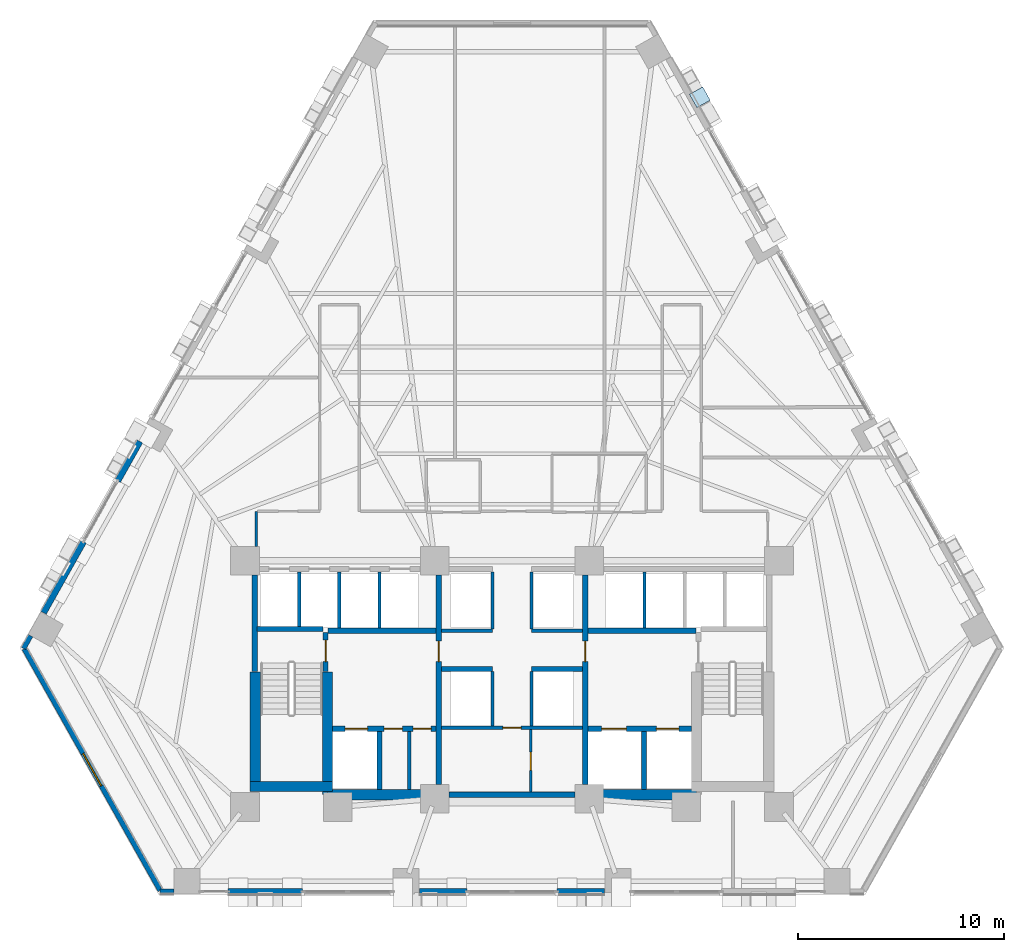
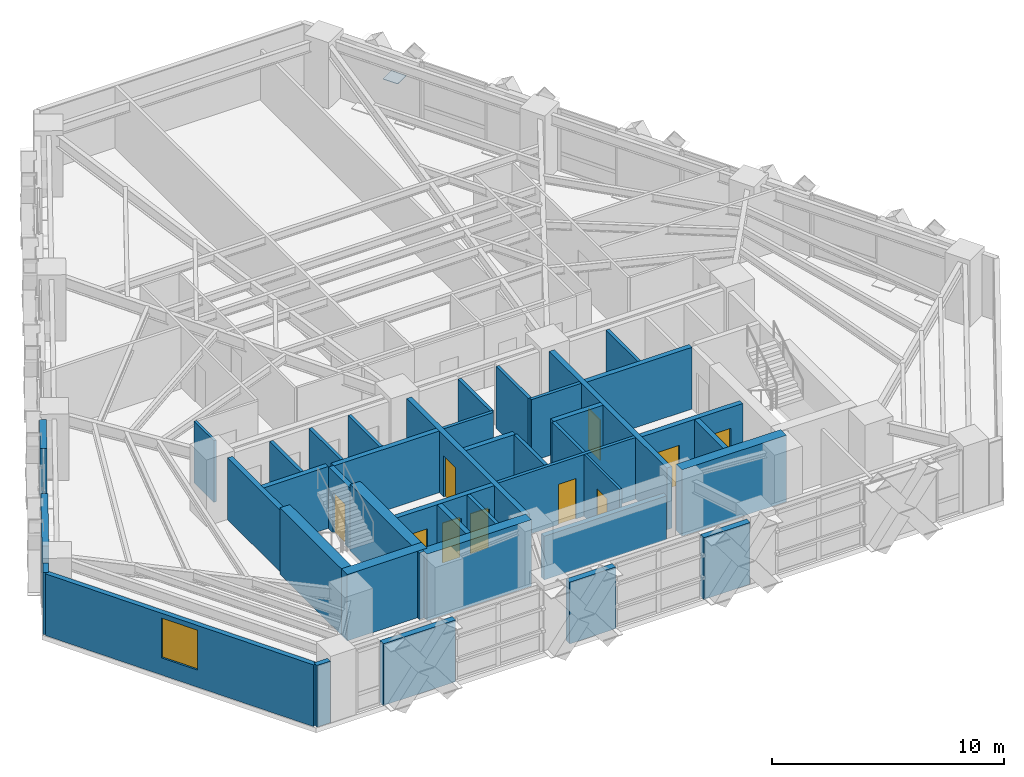
# One storey, part 7 of 13: 41 walls, 10 doors, 1 plate, 1 window, 11 openings.
"""IFC4 building model written with IfcOpenShell, lengths in metres."""

from ifc_helpers import new_model, si_unit, direction, frame, frame_2d, origin, origin_2d, place, context, subcontext, project, spatial, rectangle, extrude, material, layer, layer_set, type_object, element, fill, save


model = new_model("IFC4")

# Units and contexts
model_context = context("Model", 3, precision=1e-05, world=origin(), true_north=direction((0.0, 1.0)))
body_context = subcontext(model_context, "Body", "Model", "MODEL_VIEW")
ifc_project = project(units=[si_unit("LENGTHUNIT", "METRE"), si_unit("AREAUNIT", "SQUARE_METRE"), si_unit("VOLUMEUNIT", "CUBIC_METRE"), si_unit("PLANEANGLEUNIT", "RADIAN"), si_unit("MASSUNIT", "GRAM", prefix="KILO")], contexts=[model_context])

# Site, building, storey
site_placement = place(None, origin())
site = spatial("IfcSite", under=ifc_project, at=site_placement, CompositionType="ELEMENT")
building_placement = place(site_placement, origin())
building = spatial("IfcBuilding", under=site, at=building_placement, Name="Quenlor Broadcast Tower", CompositionType="ELEMENT")
storey_placement = place(building_placement, frame((0.0, 0.0, 62.60009765625)))
storey = spatial("IfcBuildingStorey", under=building, at=storey_placement, Name="L16", CompositionType="ELEMENT", Elevation=62.60009765625)

# Plate
ifc_material_1 = material(Name="Steel S355", Category="steel")
ifc_layer_1 = layer(ifc_material_1, 0.028076171875)
ifc_layer_set_1 = layer_set([ifc_layer_1], Name="Perimeter Lattice Node Steel S355 Cap Plate 740x740x28")
plate_type = type_object("IfcPlateType", Name="Perimeter Lattice Node Steel S355 Cap Plate 740x740x28", PredefinedType="USERDEFINED", material=ifc_layer_set_1)
plate_placement = place(storey_placement, frame((9.111083984375, 17.681640625, 1.61572265625), z_axis=(0.0, 0.0, 1.0), x_axis=(0.490295412055, -0.871556314255, 0.0)))
element("IfcPlate", 1, at=plate_placement, inside=storey, type_object=plate_type, Name="L16 Diamond Lattice Crossing Node NE-C1", ObjectType="CAP PLATE", PredefinedType="USERDEFINED", context=body_context, shape_type="SweptSolid", body=[
    extrude(rectangle(XDim=0.739990234375, YDim=0.739990234375, at=origin_2d()), origin(), (0.0, 0.0, 1.0), 0.028076171875),
])

# Walls
ifc_material_2 = material(Name="Concrete C65/80", Category="concrete")
ifc_layer_2 = layer(ifc_material_2, 0.5)
ifc_layer_set_2 = layer_set([ifc_layer_2], Name="Core Concrete C65/80 Shear Wall 500")
wall_type_1 = type_object("IfcWallType", Name="Core Concrete C65/80 Shear Wall 500", PredefinedType="SHEAR", material=ifc_layer_set_2)
wall_1_placement = place(storey_placement, frame((-12.699951171875, -15.75, 0.0), z_axis=(0.0, 0.0, 1.0), x_axis=(1.0, 0.0, 0.0)))
element("IfcWall", 2, at=wall_1_placement, inside=storey, type_object=wall_type_1, Name="L16 Core Shear Wall WS-W1", PredefinedType="SHEAR", context=body_context, shape_type="SweptSolid", body=[
    extrude(rectangle(XDim=4.0, YDim=0.5, at=frame_2d((2.0, 0.0))), origin(), (0.0, 0.0, 1.0), 3.5),
])
for number, where, z_axis, x_axis, name in (
    (3, (-8.949951171875, -16.14990234375, 0.0), (0.0, 0.0, 1.0), (1.0, 0.0, 0.0), "L16 Core Shear Wall WS-W2"),
    (4, (3.75, -16.14990234375, 0.0), (0.0, 0.0, 1.0), (1.0, 0.0, 0.0), "L16 Core Shear Wall WS-E1"),
):
    element("IfcWall", number, at=place(storey_placement, frame(where, z_axis=z_axis, x_axis=x_axis)), inside=storey, type_object=wall_type_1, Name=name, PredefinedType="SHEAR", context=body_context, shape_type="SweptSolid", body=[
        extrude(rectangle(XDim=5.199951171875, YDim=0.5, at=frame_2d((2.60009765625, 0.0))), origin(), (0.0, 0.0, 1.0), 3.5),
    ])
wall_2_placement = place(storey_placement, frame((-12.449951171875, -15.75, 0.0), z_axis=(0.0, 0.0, 1.0), x_axis=(0.0, 1.0, 0.0)))
element("IfcWall", 5, at=wall_2_placement, inside=storey, type_object=wall_type_1, Name="L16 Core Shear Wall WF-W", PredefinedType="SHEAR", context=body_context, shape_type="SweptSolid", body=[
    extrude(rectangle(XDim=5.550048828125, YDim=0.5, at=frame_2d((2.77490234375, 0.0))), origin(), (0.0, 0.0, 1.0), 3.5),
])
wall_3_placement = place(storey_placement, frame((-8.949951171875, -16.14990234375, 0.0), z_axis=(0.0, 0.0, 1.0), x_axis=(0.0, 1.0, 0.0)))
element("IfcWall", 6, at=wall_3_placement, inside=storey, type_object=wall_type_1, Name="L16 Core Shear Wall WI-W", PredefinedType="SHEAR", context=body_context, shape_type="SweptSolid", body=[
    extrude(rectangle(XDim=5.949951171875, YDim=0.5, at=frame_2d((2.97509765625, 0.0))), origin(), (0.0, 0.0, 1.0), 3.5),
])

# Wall, opening, door
ifc_material_3 = material(Name="Concrete C40/50", Category="concrete")
ifc_layer_3 = layer(ifc_material_3, 0.25)
ifc_layer_set_3 = layer_set([ifc_layer_3], Name="Fire Rated Concrete C40/50 Core Wall 250")
wall_type_2 = type_object("IfcWallType", Name="Fire Rated Concrete C40/50 Core Wall 250", PredefinedType="PARTITIONING", material=ifc_layer_set_3)
wall_4_placement = place(storey_placement, frame((-9.0400390625, -10.179931640625, 0.0), z_axis=(0.0, 0.0, 1.0), x_axis=(0.0, 1.0, 0.0)))
wall_4 = element("IfcWall", 7, at=wall_4_placement, inside=storey, type_object=wall_type_2, Name="L16 Interior Wall CW-ST1-DR", PredefinedType="PARTITIONING", context=body_context, shape_type="SweptSolid", body=[
    extrude(rectangle(XDim=1.89990234375, YDim=0.25, at=frame_2d((0.949951171875, 0.0))), origin(), (0.0, 0.0, 1.0), 3.25),
])
opening_1_placement = place(wall_4_placement, frame((0.47998046875, 0.0, 0.0)))
opening_1 = element("IfcOpeningElement", 8, at=opening_1_placement, cuts=wall_4, Name="Opening FD-1", PredefinedType="OPENING", context=body_context, shape_type="SweptSolid", body=[
    extrude(rectangle(XDim=1.050048828125, YDim=2.14990234375, at=frame_2d((0.52490234375, 1.074951171875))), frame((0.0, 0.135009765625, 0.0), z_axis=(0.0, -1.0, 0.0), x_axis=(1.0, 0.0, 0.0)), (0.0, 0.0, 1.0), 0.27001953125),
])
ifc_material_4 = material(Name="Fire Rated Steel Door Leaf", Category="steel")
door_type_1 = type_object("IfcDoorType", Name="Fire Isolated Stair Door 1050x2150", OperationType="NOTDEFINED", PredefinedType="DOOR", material=ifc_material_4)
door_1_placement = place(opening_1_placement, origin())
door_1 = element("IfcDoor", 9, at=door_1_placement, inside=storey, type_object=door_type_1, Name="L16 Door DR-ST1", OperationType="SINGLE_SWING_LEFT", OverallHeight=2.14990234375, OverallWidth=1.050048828125, PredefinedType="DOOR", context=body_context, shape_type="SweptSolid", body=[
    extrude(rectangle(XDim=1.050048828125, YDim=2.14990234375, at=frame_2d((0.52490234375, 1.074951171875))), frame((0.0, 0.02490234375, 0.0), z_axis=(0.0, -1.0, 0.0), x_axis=(1.0, 0.0, 0.0)), (0.0, 0.0, 1.0), 0.050048828125),
])
fill(opening_1, door_1)

# Walls
wall_5_placement = place(storey_placement, frame((-12.3798828125, -8.1201171875, 0.0), z_axis=(0.0, 0.0, 1.0), x_axis=(1.0, 0.0, 0.0)))
element("IfcWall", 10, at=wall_5_placement, inside=storey, type_object=wall_type_2, Name="L16 Interior Wall CW-ST1-N", PredefinedType="PARTITIONING", context=body_context, shape_type="SweptSolid", body=[
    extrude(rectangle(XDim=3.219970703125, YDim=0.25, at=frame_2d((1.60986328125, 0.0))), origin(), (0.0, 0.0, 1.0), 3.25),
])
wall_6_placement = place(storey_placement, frame((-12.47998046875, -10.179931640625, 0.0), z_axis=(0.0, 0.0, 1.0), x_axis=(0.0, 1.0, 0.0)))
element("IfcWall", 11, at=wall_6_placement, inside=storey, type_object=wall_type_2, Name="L16 Interior Wall CW-ST1-W2", PredefinedType="PARTITIONING", context=body_context, shape_type="SweptSolid", body=[
    extrude(rectangle(XDim=4.677978515625, YDim=0.25, at=frame_2d((2.3388671875, 0.0))), origin(), (0.0, 0.0, 1.0), 3.25),
])

# Wall, openings, doors
wall_7_placement = place(storey_placement, frame((-8.697998046875, -12.949951171875, 0.0), z_axis=(0.0, 0.0, 1.0), x_axis=(1.0, 0.0, 0.0)))
wall_7 = element("IfcWall", 12, at=wall_7_placement, inside=storey, type_object=wall_type_2, Name="L16 Interior Wall CW-FFW-S", PredefinedType="PARTITIONING", context=body_context, shape_type="SweptSolid", body=[
    extrude(rectangle(XDim=5.01806640625, YDim=0.25, at=frame_2d((2.509033203125, 0.0))), origin(), (0.0, 0.0, 1.0), 3.25),
])
opening_2_placement = place(wall_7_placement, frame((0.597900390625, 0.0, 0.0)))
opening_2 = element("IfcOpeningElement", 13, at=opening_2_placement, cuts=wall_7, Name="Opening LD-FFL-1", PredefinedType="OPENING", context=body_context, shape_type="SweptSolid", body=[
    extrude(rectangle(XDim=1.10009765625, YDim=2.14990234375, at=frame_2d((0.550048828125, 1.074951171875))), frame((0.0, 0.135009765625, 0.0), z_axis=(0.0, -1.0, 0.0), x_axis=(1.0, 0.0, 0.0)), (0.0, 0.0, 1.0), 0.27001953125),
])
opening_3_placement = place(wall_7_placement, frame((2.498046875, 0.0, 0.0)))
opening_3 = element("IfcOpeningElement", 14, at=opening_3_placement, cuts=wall_7, Name="Opening TD-1", PredefinedType="OPENING", context=body_context, shape_type="SweptSolid", body=[
    extrude(rectangle(XDim=0.8798828125, YDim=2.10009765625, at=frame_2d((0.43994140625, 1.050048828125))), frame((0.0, 0.135009765625, 0.0), z_axis=(0.0, -1.0, 0.0), x_axis=(1.0, 0.0, 0.0)), (0.0, 0.0, 1.0), 0.27001953125),
])
opening_4_placement = place(wall_7_placement, frame((3.89794921875, 0.0, 0.0)))
opening_4 = element("IfcOpeningElement", 15, at=opening_4_placement, cuts=wall_7, Name="Opening TD-1", PredefinedType="OPENING", context=body_context, shape_type="SweptSolid", body=[
    extrude(rectangle(XDim=0.8798828125, YDim=2.10009765625, at=frame_2d((0.43994140625, 1.050048828125))), frame((0.0, 0.135009765625, 0.0), z_axis=(0.0, -1.0, 0.0), x_axis=(1.0, 0.0, 0.0)), (0.0, 0.0, 1.0), 0.27001953125),
])
ifc_material_5 = material(Name="Brushed Stainless Steel", Category="steel")
door_type_2 = type_object("IfcDoorType", Name="Emergency Lift Sliding Landing Door 1100x2150", OperationType="NOTDEFINED", PredefinedType="DOOR", material=ifc_material_5)
door_2_placement = place(opening_2_placement, origin())
door_2 = element("IfcDoor", 16, at=door_2_placement, inside=storey, type_object=door_type_2, Name="L16 Door LD-FFL-1", OperationType="SLIDING_TO_LEFT", OverallHeight=2.14990234375, OverallWidth=1.10009765625, PredefinedType="DOOR", context=body_context, shape_type="SweptSolid", body=[
    extrude(rectangle(XDim=1.10009765625, YDim=2.14990234375, at=frame_2d((0.550048828125, 1.074951171875))), frame((0.0, 0.02490234375, 0.0), z_axis=(0.0, -1.0, 0.0), x_axis=(1.0, 0.0, 0.0)), (0.0, 0.0, 1.0), 0.050048828125),
])
fill(opening_2, door_2)
ifc_material_6 = material(Name="Fire Rated Steel Access Panel", Category="steel")
door_type_3 = type_object("IfcDoorType", Name="Riser Shaft Rated Access Trapdoor 880x2100", OperationType="NOTDEFINED", PredefinedType="TRAPDOOR", material=ifc_material_6)
door_3_placement = place(opening_3_placement, origin())
door_3 = element("IfcDoor", 17, at=door_3_placement, inside=storey, type_object=door_type_3, Name="L16 Door DR-ELR", OperationType="SINGLE_SWING_LEFT", OverallHeight=2.10009765625, OverallWidth=0.8798828125, PredefinedType="TRAPDOOR", context=body_context, shape_type="SweptSolid", body=[
    extrude(rectangle(XDim=0.8798828125, YDim=2.10009765625, at=frame_2d((0.43994140625, 1.050048828125))), frame((0.0, 0.02490234375, 0.0), z_axis=(0.0, -1.0, 0.0), x_axis=(1.0, 0.0, 0.0)), (0.0, 0.0, 1.0), 0.050048828125),
])
fill(opening_3, door_3)
door_4_placement = place(opening_4_placement, origin())
door_4 = element("IfcDoor", 18, at=door_4_placement, inside=storey, type_object=door_type_3, Name="L16 Door DR-CMR", OperationType="SINGLE_SWING_RIGHT", OverallHeight=2.10009765625, OverallWidth=0.8798828125, PredefinedType="TRAPDOOR", context=body_context, shape_type="SweptSolid", body=[
    extrude(rectangle(XDim=0.8798828125, YDim=2.10009765625, at=frame_2d((0.43994140625, 1.050048828125))), frame((0.0, 0.02490234375, 0.0), z_axis=(0.0, -1.0, 0.0), x_axis=(1.0, 0.0, 0.0)), (0.0, 0.0, 1.0), 0.050048828125),
])
fill(opening_4, door_4)

wall_8_placement = place(storey_placement, frame((3.679931640625, -12.949951171875, 0.0), z_axis=(0.0, 0.0, 1.0), x_axis=(1.0, 0.0, 0.0)))
wall_8 = element("IfcWall", 19, at=wall_8_placement, inside=storey, type_object=wall_type_2, Name="L16 Interior Wall CW-FFE-S", PredefinedType="PARTITIONING", context=body_context, shape_type="SweptSolid", body=[
    extrude(rectangle(XDim=5.01806640625, YDim=0.25, at=frame_2d((2.509033203125, 0.0))), origin(), (0.0, 0.0, 1.0), 3.25),
])
opening_5_placement = place(wall_8_placement, frame((3.320068359375, 0.0, 0.0)))
opening_5 = element("IfcOpeningElement", 20, at=opening_5_placement, cuts=wall_8, Name="Opening LD-FFL-2", PredefinedType="OPENING", context=body_context, shape_type="SweptSolid", body=[
    extrude(rectangle(XDim=1.10009765625, YDim=2.14990234375, at=frame_2d((0.550048828125, 1.074951171875))), frame((0.0, 0.135009765625, 0.0), z_axis=(0.0, -1.0, 0.0), x_axis=(1.0, 0.0, 0.0)), (0.0, 0.0, 1.0), 0.27001953125),
])
opening_6_placement = place(wall_8_placement, frame((0.669921875, 0.0, 0.0)))
opening_6 = element("IfcOpeningElement", 21, at=opening_6_placement, cuts=wall_8, Name="Opening LD-SVL-1", PredefinedType="OPENING", context=body_context, shape_type="SweptSolid", body=[
    extrude(rectangle(XDim=1.199951171875, YDim=2.14990234375, at=frame_2d((0.60009765625, 1.074951171875))), frame((0.0, 0.135009765625, 0.0), z_axis=(0.0, -1.0, 0.0), x_axis=(1.0, 0.0, 0.0)), (0.0, 0.0, 1.0), 0.27001953125),
])
door_5_placement = place(opening_5_placement, origin())
door_5 = element("IfcDoor", 22, at=door_5_placement, inside=storey, type_object=door_type_2, Name="L16 Door LD-FFL-2", OperationType="SLIDING_TO_RIGHT", OverallHeight=2.14990234375, OverallWidth=1.10009765625, PredefinedType="DOOR", context=body_context, shape_type="SweptSolid", body=[
    extrude(rectangle(XDim=1.10009765625, YDim=2.14990234375, at=frame_2d((0.550048828125, 1.074951171875))), frame((0.0, 0.02490234375, 0.0), z_axis=(0.0, -1.0, 0.0), x_axis=(1.0, 0.0, 0.0)), (0.0, 0.0, 1.0), 0.050048828125),
])
fill(opening_5, door_5)
ifc_material_7 = material(Name="Brushed Stainless Steel", Category="steel")
door_type_4 = type_object("IfcDoorType", Name="Goods Lift Sliding Landing Door 1200x2150", OperationType="NOTDEFINED", PredefinedType="DOOR", material=ifc_material_7)
door_6_placement = place(opening_6_placement, origin())
door_6 = element("IfcDoor", 23, at=door_6_placement, inside=storey, type_object=door_type_4, Name="L16 Door LD-SVL-1", OperationType="SLIDING_TO_LEFT", OverallHeight=2.14990234375, OverallWidth=1.199951171875, PredefinedType="DOOR", context=body_context, shape_type="SweptSolid", body=[
    extrude(rectangle(XDim=1.199951171875, YDim=2.14990234375, at=frame_2d((0.60009765625, 1.074951171875))), frame((0.0, 0.02490234375, 0.0), z_axis=(0.0, -1.0, 0.0), x_axis=(1.0, 0.0, 0.0)), (0.0, 0.0, 1.0), 0.050048828125),
])
fill(opening_6, door_6)

# Walls
for number, where, z_axis, x_axis, name in (
    (24, (-6.419921875, -15.89794921875, 0.0), (0.0, 0.0, 1.0), (0.0, 1.0, 0.0), "L16 Interior Wall CW-FF1-E"),
    (25, (6.39990234375, -15.89794921875, 0.0), (0.0, 0.0, 1.0), (0.0, 1.0, 0.0), "L16 Interior Wall CW-SV1-E"),
):
    element("IfcWall", number, at=place(storey_placement, frame(where, z_axis=z_axis, x_axis=x_axis)), inside=storey, type_object=wall_type_2, Name=name, PredefinedType="PARTITIONING", context=body_context, shape_type="SweptSolid", body=[
        extrude(rectangle(XDim=2.807861328125, YDim=0.25, at=frame_2d((1.40380859375, 0.0))), origin(), (0.0, 0.0, 1.0), 3.25),
    ])
for number, where, z_axis, x_axis, name in (
    (26, (-8.919921875, -8.199951171875, 0.0), (0.0, 0.0, 1.0), (1.0, 0.0, 0.0), "L16 Interior Wall CW-FFW-N"),
    (27, (3.679931640625, -8.199951171875, 0.0), (0.0, 0.0, 1.0), (1.0, 0.0, 0.0), "L16 Interior Wall CW-FFE-N"),
):
    element("IfcWall", number, at=place(storey_placement, frame(where, z_axis=z_axis, x_axis=x_axis)), inside=storey, type_object=wall_type_2, Name=name, PredefinedType="PARTITIONING", context=body_context, shape_type="SweptSolid", body=[
        extrude(rectangle(XDim=5.239990234375, YDim=0.25, at=frame_2d((2.6201171875, 0.0))), origin(), (0.0, 0.0, 1.0), 3.25),
    ])

# Wall, opening, door
wall_9_placement = place(storey_placement, frame((-3.550048828125, -15.64794921875, 0.0), z_axis=(0.0, 0.0, 1.0), x_axis=(0.0, 1.0, 0.0)))
wall_9 = element("IfcWall", 28, at=wall_9_placement, inside=storey, type_object=wall_type_2, Name="L16 Interior Wall CW-FFW-E", PredefinedType="PARTITIONING", context=body_context, shape_type="SweptSolid", body=[
    extrude(rectangle(XDim=10.14599609375, YDim=0.25, at=frame_2d((5.072998046875, 0.0))), origin(), (0.0, 0.0, 1.0), 3.25),
])
opening_7_placement = place(wall_9_placement, frame((5.947998046875, 0.0, 0.0)))
opening_7 = element("IfcOpeningElement", 29, at=opening_7_placement, cuts=wall_9, Name="Opening FD-2", PredefinedType="OPENING", context=body_context, shape_type="SweptSolid", body=[
    extrude(rectangle(XDim=1.0, YDim=2.14990234375, at=frame_2d((0.5, 1.074951171875))), frame((0.0, 0.135009765625, 0.0), z_axis=(0.0, -1.0, 0.0), x_axis=(1.0, 0.0, 0.0)), (0.0, 0.0, 1.0), 0.27001953125),
])
ifc_material_8 = material(Name="Fire Rated Glazed Steel Door", Category="steel")
door_type_5 = type_object("IfcDoorType", Name="Firefighting Lobby Smoke Door 1000x2150", OperationType="NOTDEFINED", PredefinedType="DOOR", material=ifc_material_8)
door_7_placement = place(opening_7_placement, origin())
door_7 = element("IfcDoor", 30, at=door_7_placement, inside=storey, type_object=door_type_5, Name="L16 Door DR-FFLW", OperationType="SINGLE_SWING_RIGHT", OverallHeight=2.14990234375, OverallWidth=1.0, PredefinedType="DOOR", context=body_context, shape_type="SweptSolid", body=[
    extrude(rectangle(XDim=1.0, YDim=2.14990234375, at=frame_2d((0.5, 1.074951171875))), frame((0.0, 0.02490234375, 0.0), z_axis=(0.0, -1.0, 0.0), x_axis=(1.0, 0.0, 0.0)), (0.0, 0.0, 1.0), 0.050048828125),
])
fill(opening_7, door_7)

wall_10_placement = place(storey_placement, frame((3.550048828125, -15.64794921875, 0.0), z_axis=(0.0, 0.0, 1.0), x_axis=(0.0, 1.0, 0.0)))
wall_10 = element("IfcWall", 31, at=wall_10_placement, inside=storey, type_object=wall_type_2, Name="L16 Interior Wall CW-FFE-W", PredefinedType="PARTITIONING", context=body_context, shape_type="SweptSolid", body=[
    extrude(rectangle(XDim=10.14599609375, YDim=0.25, at=frame_2d((5.072998046875, 0.0))), origin(), (0.0, 0.0, 1.0), 3.25),
])
opening_8_placement = place(wall_10_placement, frame((5.947998046875, 0.0, 0.0)))
opening_8 = element("IfcOpeningElement", 32, at=opening_8_placement, cuts=wall_10, Name="Opening FD-2", PredefinedType="OPENING", context=body_context, shape_type="SweptSolid", body=[
    extrude(rectangle(XDim=1.0, YDim=2.14990234375, at=frame_2d((0.5, 1.074951171875))), frame((0.0, 0.135009765625, 0.0), z_axis=(0.0, -1.0, 0.0), x_axis=(1.0, 0.0, 0.0)), (0.0, 0.0, 1.0), 0.27001953125),
])
door_8_placement = place(opening_8_placement, origin())
door_8 = element("IfcDoor", 33, at=door_8_placement, inside=storey, type_object=door_type_5, Name="L16 Door DR-FFLE", OperationType="SINGLE_SWING_LEFT", OverallHeight=2.14990234375, OverallWidth=1.0, PredefinedType="DOOR", context=body_context, shape_type="SweptSolid", body=[
    extrude(rectangle(XDim=1.0, YDim=2.14990234375, at=frame_2d((0.5, 1.074951171875))), frame((0.0, 0.02490234375, 0.0), z_axis=(0.0, -1.0, 0.0), x_axis=(1.0, 0.0, 0.0)), (0.0, 0.0, 1.0), 0.050048828125),
])
fill(opening_8, door_8)

# Walls
wall_11_placement = place(storey_placement, frame((-3.048095703125, -16.14990234375, 0.0), z_axis=(0.0, 0.0, 1.0), x_axis=(1.0, 0.0, 0.0)))
element("IfcWall", 34, at=wall_11_placement, inside=storey, type_object=wall_type_2, Name="L16 Interior Wall CW-MS-S", PredefinedType="PARTITIONING", context=body_context, shape_type="SweptSolid", body=[
    extrude(rectangle(XDim=6.09619140625, YDim=0.25, at=frame_2d((3.048095703125, 0.0))), origin(), (0.0, 0.0, 1.0), 2.2998046875),
])
for number, where, z_axis, x_axis, name in (
    (35, (-3.419921875, -10.050048828125, 0.0), (0.0, 0.0, 1.0), (1.0, 0.0, 0.0), "L16 Interior Wall CW-MS-N1"),
    (36, (0.949951171875, -10.050048828125, 0.0), (0.0, 0.0, 1.0), (1.0, 0.0, 0.0), "L16 Interior Wall CW-MS-N2"),
):
    element("IfcWall", number, at=place(storey_placement, frame(where, z_axis=z_axis, x_axis=x_axis)), inside=storey, type_object=wall_type_2, Name=name, PredefinedType="PARTITIONING", context=body_context, shape_type="SweptSolid", body=[
        extrude(rectangle(XDim=2.469970703125, YDim=0.25, at=frame_2d((1.23486328125, 0.0))), origin(), (0.0, 0.0, 1.0), 3.25),
    ])
ifc_material_9 = material(Name="Gypsum Fireboard Partition", Category="other")
ifc_layer_4 = layer(ifc_material_9, 0.159912109375)
ifc_layer_set_4 = layer_set([ifc_layer_4], Name="Fire Rated Shaft and Corridor Partition 160")
wall_type_3 = type_object("IfcWallType", Name="Fire Rated Shaft and Corridor Partition 160", PredefinedType="PARTITIONING", material=ifc_layer_set_4)
wall_12_placement = place(storey_placement, frame((-4.97998046875, -15.89794921875, 0.0), z_axis=(0.0, 0.0, 1.0), x_axis=(0.0, 1.0, 0.0)))
element("IfcWall", 37, at=wall_12_placement, inside=storey, type_object=wall_type_3, Name="L16 Interior Wall CW-ELR-E", PredefinedType="PARTITIONING", context=body_context, shape_type="SweptSolid", body=[
    extrude(rectangle(XDim=2.807861328125, YDim=0.159912109375, at=frame_2d((1.40380859375, 0.0))), origin(), (0.0, 0.0, 1.0), 3.25),
])
wall_13_placement = place(storey_placement, frame((-10.324951171875, -7.992919921875, 0.0), z_axis=(0.0, 0.0, 1.0), x_axis=(0.0, 1.0, 0.0)))
element("IfcWall", 38, at=wall_13_placement, inside=storey, type_object=wall_type_3, Name="L16 Interior Wall CW-PLL-D1", PredefinedType="PARTITIONING", context=body_context, shape_type="SweptSolid", body=[
    extrude(rectangle(XDim=2.65283203125, YDim=0.159912109375, at=frame_2d((1.326416015625, 0.0))), origin(), (0.0, 0.0, 1.0), 3.25),
])
for number, where, z_axis, x_axis, name in (
    (39, (-8.375, -8.072998046875, 0.0), (0.0, 0.0, 1.0), (0.0, 1.0, 0.0), "L16 Interior Wall CW-PLL-D2"),
    (40, (-6.425048828125, -8.072998046875, 0.0), (0.0, 0.0, 1.0), (0.0, 1.0, 0.0), "L16 Interior Wall CW-PLL-D3"),
    (41, (6.425048828125, -8.072998046875, 0.0), (0.0, 0.0, 1.0), (0.0, 1.0, 0.0), "L16 Interior Wall CW-PLH-D1"),
):
    element("IfcWall", number, at=place(storey_placement, frame(where, z_axis=z_axis, x_axis=x_axis)), inside=storey, type_object=wall_type_3, Name=name, PredefinedType="PARTITIONING", context=body_context, shape_type="SweptSolid", body=[
        extrude(rectangle(XDim=2.73291015625, YDim=0.159912109375, at=frame_2d((1.366455078125, 0.0))), origin(), (0.0, 0.0, 1.0), 3.25),
    ])
for number, where, z_axis, x_axis, name in (
    (42, (-0.949951171875, -8.1201171875, 0.0), (0.0, 0.0, 1.0), (0.0, 1.0, 0.0), "L16 Interior Wall CW-CCRP-W"),
    (43, (0.949951171875, -8.1201171875, 0.0), (0.0, 0.0, 1.0), (0.0, 1.0, 0.0), "L16 Interior Wall CW-CCRP-E"),
):
    element("IfcWall", number, at=place(storey_placement, frame(where, z_axis=z_axis, x_axis=x_axis)), inside=storey, type_object=wall_type_3, Name=name, PredefinedType="PARTITIONING", context=body_context, shape_type="SweptSolid", body=[
        extrude(rectangle(XDim=2.780029296875, YDim=0.159912109375, at=frame_2d((1.39013671875, 0.0))), origin(), (0.0, 0.0, 1.0), 3.25),
    ])
for number, where, z_axis, x_axis, name in (
    (44, (-3.419921875, -8.199951171875, 0.0), (0.0, 0.0, 1.0), (1.0, 0.0, 0.0), "L16 Interior Wall CW-M-BACK1"),
    (45, (0.949951171875, -8.199951171875, 0.0), (0.0, 0.0, 1.0), (1.0, 0.0, 0.0), "L16 Interior Wall CW-M-BACK2"),
):
    element("IfcWall", number, at=place(storey_placement, frame(where, z_axis=z_axis, x_axis=x_axis)), inside=storey, type_object=wall_type_3, Name=name, PredefinedType="PARTITIONING", context=body_context, shape_type="SweptSolid", body=[
        extrude(rectangle(XDim=2.469970703125, YDim=0.159912109375, at=frame_2d((1.23486328125, 0.0))), origin(), (0.0, 0.0, 1.0), 3.25),
    ])

# Wall, opening, door
wall_14_placement = place(storey_placement, frame((-3.419921875, -12.89990234375, 0.0), z_axis=(0.0, 0.0, 1.0), x_axis=(1.0, 0.0, 0.0)))
wall_14 = element("IfcWall", 46, at=wall_14_placement, inside=storey, type_object=wall_type_3, Name="L16 Interior Wall CW-MS-B", PredefinedType="PARTITIONING", context=body_context, shape_type="SweptSolid", body=[
    extrude(rectangle(XDim=6.83984375, YDim=0.159912109375, at=frame_2d((3.419921875, 0.0))), origin(), (0.0, 0.0, 1.0), 3.25),
])
opening_9_placement = place(wall_14_placement, frame((2.97998046875, 0.0, 0.0)))
opening_9 = element("IfcOpeningElement", 47, at=opening_9_placement, cuts=wall_14, Name="Opening ID-4", PredefinedType="OPENING", context=body_context, shape_type="SweptSolid", body=[
    extrude(rectangle(XDim=0.8798828125, YDim=2.1201171875, at=frame_2d((0.43994140625, 1.06005859375))), frame((0.0, 0.08984375, 0.0), z_axis=(0.0, -1.0, 0.0), x_axis=(1.0, 0.0, 0.0)), (0.0, 0.0, 1.0), 0.179931640625),
])
ifc_material_10 = material(Name="Solid Core Timber Oak", Category="wood")
door_type_6 = type_object("IfcDoorType", Name="Service Closet Timber Door 880x2120", OperationType="NOTDEFINED", PredefinedType="DOOR", material=ifc_material_10)
door_9_placement = place(opening_9_placement, origin())
door_9 = element("IfcDoor", 48, at=door_9_placement, inside=storey, type_object=door_type_6, Name="L16 Door DR-CSV0", OperationType="SINGLE_SWING_LEFT", OverallHeight=2.1201171875, OverallWidth=0.8798828125, PredefinedType="DOOR", context=body_context, shape_type="SweptSolid", body=[
    extrude(rectangle(XDim=0.8798828125, YDim=2.1201171875, at=frame_2d((0.43994140625, 1.06005859375))), frame((0.0, 0.02490234375, 0.0), z_axis=(0.0, -1.0, 0.0), x_axis=(1.0, 0.0, 0.0)), (0.0, 0.0, 1.0), 0.050048828125),
])
fill(opening_9, door_9)

# Walls
for number, where, z_axis, x_axis, name in (
    (49, (-0.949951171875, -12.818115234375, 0.0), (0.0, 0.0, 1.0), (0.0, 1.0, 0.0), "L16 Interior Wall CW-MS-W"),
    (50, (0.949951171875, -12.818115234375, 0.0), (0.0, 0.0, 1.0), (0.0, 1.0, 0.0), "L16 Interior Wall CW-MS-E"),
):
    element("IfcWall", number, at=place(storey_placement, frame(where, z_axis=z_axis, x_axis=x_axis)), inside=storey, type_object=wall_type_3, Name=name, PredefinedType="PARTITIONING", context=body_context, shape_type="SweptSolid", body=[
        extrude(rectangle(XDim=2.63818359375, YDim=0.159912109375, at=frame_2d((1.319091796875, 0.0))), origin(), (0.0, 0.0, 1.0), 3.25),
    ])

# Wall, opening, door
ifc_material_11 = material(Name="Gypsum Plasterboard Partition", Category="other")
ifc_layer_5 = layer(ifc_material_11, 0.1201171875)
ifc_layer_set_5 = layer_set([ifc_layer_5], Name="Standard Office Partition 120")
wall_type_4 = type_object("IfcWallType", Name="Standard Office Partition 120", PredefinedType="PARTITIONING", material=ifc_layer_set_5)
wall_15_placement = place(storey_placement, frame((0.909912109375, -16.02001953125, 0.0), z_axis=(0.0, 0.0, 1.0), x_axis=(0.0, 1.0, 0.0)))
wall_15 = element("IfcWall", 51, at=wall_15_placement, inside=storey, type_object=wall_type_4, Name="L16 Interior Wall CW-CSV-E2", PredefinedType="PARTITIONING", context=body_context, shape_type="SweptSolid", body=[
    extrude(rectangle(XDim=3.0380859375, YDim=0.1201171875, at=frame_2d((1.51904296875, 0.0))), origin(), (0.0, 0.0, 1.0), 3.25),
])
opening_10_placement = place(wall_15_placement, frame((1.050048828125, 0.0, 0.0)))
opening_10 = element("IfcOpeningElement", 52, at=opening_10_placement, cuts=wall_15, Name="Opening ID-4", PredefinedType="OPENING", context=body_context, shape_type="SweptSolid", body=[
    extrude(rectangle(XDim=0.8798828125, YDim=2.1201171875, at=frame_2d((0.43994140625, 1.06005859375))), frame((0.0, 0.070068359375, 0.0), z_axis=(0.0, -1.0, 0.0), x_axis=(1.0, 0.0, 0.0)), (0.0, 0.0, 1.0), 0.14013671875),
])
door_10_placement = place(opening_10_placement, origin())
door_10 = element("IfcDoor", 53, at=door_10_placement, inside=storey, type_object=door_type_6, Name="L16 Door DR-CSV2", OperationType="SINGLE_SWING_RIGHT", OverallHeight=2.1201171875, OverallWidth=0.8798828125, PredefinedType="DOOR", context=body_context, shape_type="SweptSolid", body=[
    extrude(rectangle(XDim=0.8798828125, YDim=2.1201171875, at=frame_2d((0.43994140625, 1.06005859375))), frame((0.0, 0.02490234375, 0.0), z_axis=(0.0, -1.0, 0.0), x_axis=(1.0, 0.0, 0.0)), (0.0, 0.0, 1.0), 0.050048828125),
])
fill(opening_10, door_10)

# Walls
wall_16_placement = place(storey_placement, frame((-12.409912109375, -4.097900390625, 0.0), z_axis=(0.0, 0.0, 1.0), x_axis=(0.0, 1.0, 0.0)))
element("IfcWall", 54, at=wall_16_placement, inside=storey, type_object=wall_type_4, Name="L16 Interior Wall PW-CR-01", PredefinedType="PARTITIONING", context=body_context, shape_type="SweptSolid", body=[
    extrude(rectangle(XDim=1.697998046875, YDim=0.1201171875, at=frame_2d((0.84912109375, 0.0))), origin(), (0.0, 0.0, 1.0), 3.25),
])
ifc_material_12 = material(Name="Precast concrete C40/50", Category="concrete")
ifc_layer_6 = layer(ifc_material_12, 0.239990234375)
ifc_layer_set_6 = layer_set([ifc_layer_6], Name="Terrace Threshold Precast Concrete C40/50 Wall 240")
wall_type_5 = type_object("IfcWallType", Name="Terrace Threshold Precast Concrete C40/50 Wall 240", PredefinedType="STANDARD", material=ifc_layer_set_6)
wall_17_placement = place(storey_placement, frame((-16.39501953125, -20.840087890625, 0.0), z_axis=(0.0, 0.0, 1.0), x_axis=(-1.0, 0.0, 0.0)))
element("IfcWall", 55, at=wall_17_placement, inside=storey, type_object=wall_type_5, Name="L16 Exterior Wall L16-SHD-SS1", PredefinedType="STANDARD", context=body_context, shape_type="SweptSolid", body=[
    extrude(rectangle(XDim=0.680908203125, YDim=0.239990234375, at=frame_2d((0.34033203125, 0.0))), origin(), (0.0, 0.0, 1.0), 3.25),
])
wall_18_placement = place(storey_placement, frame((-23.69921875, -9.05810546875, 0.0), z_axis=(0.0, 0.0, 1.0), x_axis=(0.490523074758, 0.871428203084, 0.0)))
element("IfcWall", 56, at=wall_18_placement, inside=storey, type_object=wall_type_5, Name="L16 Exterior Wall L16-SHD-NWS0", PredefinedType="STANDARD", context=body_context, shape_type="SweptSolid", body=[
    extrude(rectangle(XDim=0.708251953125, YDim=0.239990234375, at=frame_2d((0.35400390625, 0.0))), origin(), (0.0, 0.0, 1.0), 3.25),
])

# Wall, opening, window
wall_19_placement = place(storey_placement, frame((-23.659912109375, -9.07568359375, 0.0), z_axis=(0.0, 0.0, 1.0), x_axis=(0.490268135177, -0.871571658345, 0.0)))
wall_19 = element("IfcWall", 57, at=wall_19_placement, inside=storey, type_object=wall_type_5, Name="L16 Exterior Wall L16-CNR-04", PredefinedType="STANDARD", context=body_context, shape_type="SweptSolid", body=[
    extrude(rectangle(XDim=13.44775390625, YDim=0.239990234375, at=frame_2d((6.723876953125, 0.0))), origin(), (0.0, 0.0, 1.0), 3.25),
])
opening_11_placement = place(wall_19_placement, frame((5.823974609375, 0.0, 0.89990234375)))
opening_11 = element("IfcOpeningElement", 58, at=opening_11_placement, cuts=wall_19, Name="Opening WN-1", PredefinedType="OPENING", context=body_context, shape_type="SweptSolid", body=[
    extrude(rectangle(XDim=1.800048828125, YDim=2.10009765625, at=frame_2d((0.89990234375, 1.050048828125))), frame((0.0, 0.1298828125, 0.0), z_axis=(0.0, -1.0, 0.0), x_axis=(1.0, 0.0, 0.0)), (0.0, 0.0, 1.0), 0.260009765625),
])
ifc_material_13 = material(Name="Thermally Broken Aluminium and Low-E Glass", Category="aluminium")
window_type = type_object("IfcWindowType", Name="Tower Acoustic Vision Window 1800x2100", PartitioningType="SINGLE_PANEL", PredefinedType="WINDOW", material=ifc_material_13)
window_placement = place(opening_11_placement, origin())
window = element("IfcWindow", 59, at=window_placement, inside=storey, type_object=window_type, Name="L16 Corner Chamfer Window 4", OverallHeight=2.10009765625, OverallWidth=1.800048828125, PartitioningType="SINGLE_PANEL", PredefinedType="WINDOW", context=body_context, shape_type="SweptSolid", body=[
    extrude(rectangle(XDim=1.800048828125, YDim=2.10009765625, at=frame_2d((0.89990234375, 1.050048828125))), frame((0.0, 0.030029296875, 0.0), z_axis=(0.0, -1.0, 0.0), x_axis=(1.0, 0.0, 0.0)), (0.0, 0.0, 1.0), 0.06005859375),
])
fill(opening_11, window)

# Walls
ifc_material_14 = material(Name="Precast concrete C40/50", Category="concrete")
ifc_layer_7 = layer(ifc_material_14, 0.300048828125)
ifc_layer_set_7 = layer_set([ifc_layer_7], Name="Terracotta Precast Concrete C40/50 Spandrel Wall 300")
wall_type_6 = type_object("IfcWallType", Name="Terracotta Precast Concrete C40/50 Spandrel Wall 300", PredefinedType="STANDARD", material=ifc_layer_set_7)
wall_20_placement = place(storey_placement, frame((-10.1748046875, -20.840087890625, 0.0), z_axis=(0.0, 0.0, 1.0), x_axis=(-1.0, 0.0, 0.0)))
element("IfcWall", 60, at=wall_20_placement, inside=storey, type_object=wall_type_6, Name="L16 Exterior Wall L16-SC-SP1", PredefinedType="STANDARD", context=body_context, shape_type="SweptSolid", body=[
    extrude(rectangle(XDim=3.592041015625, YDim=0.300048828125, at=frame_2d((1.7958984375, 0.0))), origin(), (0.0, 0.0, 1.0), 3.25),
])
for number, where, z_axis, x_axis, name in (
    (61, (4.495849609375, -20.840087890625, 0.0), (0.0, 0.0, 1.0), (-1.0, 0.0, 0.0), "L16 Exterior Wall L16-S-SP1"),
    (62, (-2.194091796875, -20.840087890625, 0.0), (0.0, 0.0, 1.0), (-1.0, 0.0, 0.0), "L16 Exterior Wall L16-S-SP2"),
):
    element("IfcWall", number, at=place(storey_placement, frame(where, z_axis=z_axis, x_axis=x_axis)), inside=storey, type_object=wall_type_6, Name=name, PredefinedType="STANDARD", context=body_context, shape_type="SweptSolid", body=[
        extrude(rectangle(XDim=2.3017578125, YDim=0.300048828125, at=frame_2d((1.15087890625, 0.0))), origin(), (0.0, 0.0, 1.0), 3.25),
    ])
wall_21_placement = place(storey_placement, frame((-22.724365234375, -7.3251953125, 0.0), z_axis=(0.0, 0.0, 1.0), x_axis=(0.490267098362, 0.871572241563, 0.0)))
element("IfcWall", 63, at=wall_21_placement, inside=storey, type_object=wall_type_6, Name="L16 Exterior Wall L16-NWA-SP1", PredefinedType="STANDARD", context=body_context, shape_type="SweptSolid", body=[
    extrude(rectangle(XDim=3.956787109375, YDim=0.300048828125, at=frame_2d((1.978515625, 0.0))), origin(), (0.0, 0.0, 1.0), 3.25),
])
wall_22_placement = place(storey_placement, frame((-19.126953125, -0.9296875, 0.0), z_axis=(0.0, 0.0, 1.0), x_axis=(0.490277063651, 0.871566635925, 0.0)))
element("IfcWall", 64, at=wall_22_placement, inside=storey, type_object=wall_type_6, Name="L16 Exterior Wall L16-NWA-SP2", PredefinedType="STANDARD", context=body_context, shape_type="SweptSolid", body=[
    extrude(rectangle(XDim=2.197509765625, YDim=0.300048828125, at=frame_2d((1.0986328125, 0.0))), origin(), (0.0, 0.0, 1.0), 3.25),
])

save(model, "model.ifc")
